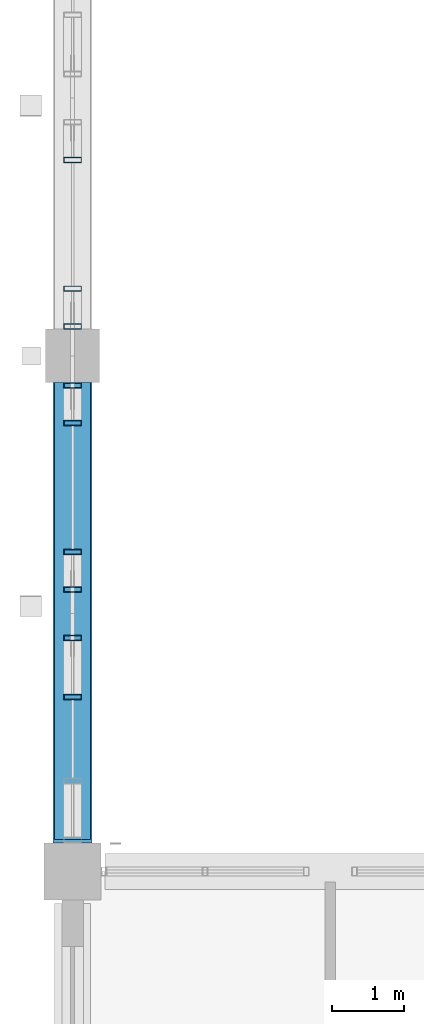
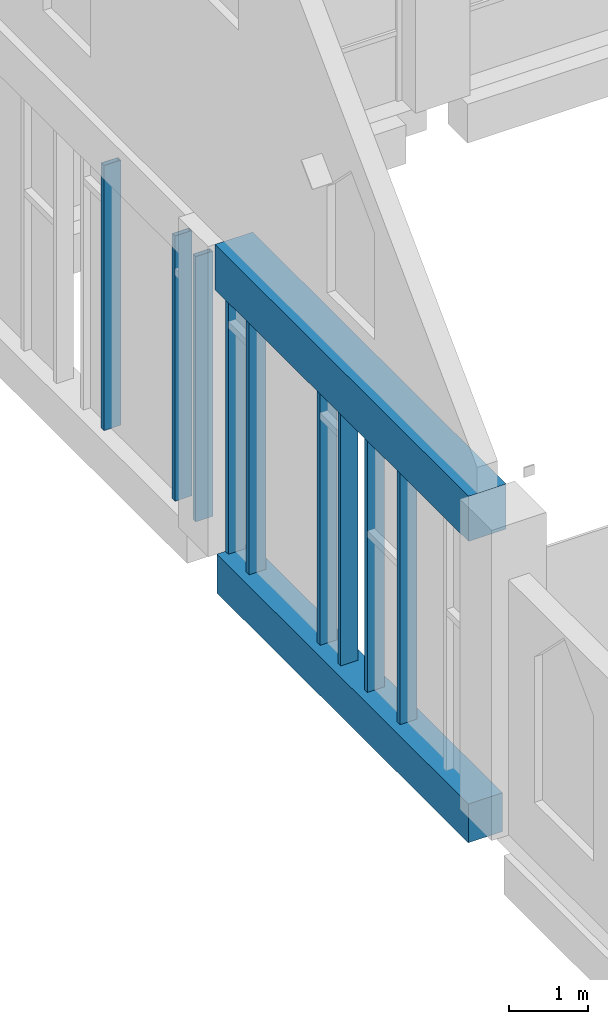
# One storey, part 4 of 31: 9 members, 2 beams, 3 elements without a shape of their own.
"""IFC4 building model written with IfcOpenShell, lengths in metres."""

from ifc_helpers import new_model, si_unit, direction, frame, origin, origin_2d, place, context, subcontext, project, spatial, rectangle, hollow_rectangle, extrude, material, material_profile, profile_set, type_object, element, aggregate, save


model = new_model("IFC4")

# Units and contexts
model_context = context("Model", 3, precision=1e-05, world=origin(), true_north=direction((0.0, 1.0)))
body_context = subcontext(model_context, "Body", "Model", "MODEL_VIEW")
ifc_project = project(units=[si_unit("LENGTHUNIT", "METRE"), si_unit("AREAUNIT", "SQUARE_METRE"), si_unit("VOLUMEUNIT", "CUBIC_METRE"), si_unit("PLANEANGLEUNIT", "RADIAN"), si_unit("MASSUNIT", "GRAM", prefix="KILO")], contexts=[model_context])

# Site, building, storey
site_placement = place(None, origin())
site = spatial("IfcSite", under=ifc_project, at=site_placement, CompositionType="ELEMENT")
building_placement = place(site_placement, origin())
building = spatial("IfcBuilding", under=site, at=building_placement, Name="Silangan Lancet Faculty of Sciences", CompositionType="ELEMENT")
storey_placement = place(building_placement, frame((0.0, 0.0, 36.0)))
storey = spatial("IfcBuildingStorey", under=building, at=storey_placement, Name="L07", CompositionType="ELEMENT", Elevation=36.0)

# Beams
ifc_material_1 = material(Name="Concrete C40/50", Category="concrete")
ifc_material_profile_1 = material_profile(ifc_material_1, rectangle(XDim=0.5, YDim=0.60009765625, at=origin_2d()), Name="RC 500x600")
ifc_profile_set_1 = profile_set([ifc_material_profile_1], Name="Concrete C40/50")
beam_type_1 = type_object("IfcBeamType", Name="BEAM RC 500x600", PredefinedType="BEAM", material=ifc_profile_set_1)
beam_1_placement = place(storey_placement, frame((0.0, 22.050048828125, -0.300048828125), z_axis=(0.0, 1.0, 0.0), x_axis=(-1.0, 0.0, 0.0)))
element("IfcBeam", 1, at=beam_1_placement, inside=storey, type_object=beam_type_1, Name="BM-L07-1D-1E", PredefinedType="BEAM", context=body_context, shape_type="SweptSolid", body=[
    extrude(rectangle(XDim=0.5, YDim=0.60009765625, at=origin_2d()), origin(), (0.0, 0.0, 1.0), 6.375),
])
ifc_material_2 = material(Name="Concrete C40/50", Category="concrete")
ifc_material_profile_2 = material_profile(ifc_material_2, rectangle(XDim=0.550048828125, YDim=0.699951171875, at=origin_2d()), Name="RC 550x700")
ifc_profile_set_2 = profile_set([ifc_material_profile_2], Name="Concrete C40/50")
beam_type_2 = type_object("IfcBeamType", Name="BEAM RC 550x700", PredefinedType="BEAM", material=ifc_profile_set_2)
beam_2_placement = place(storey_placement, frame((0.0, 22.0, 4.449951171875), z_axis=(0.0, 1.0, 0.0), x_axis=(-1.0, 0.0, 0.0)))
element("IfcBeam", 2, at=beam_2_placement, inside=storey, type_object=beam_type_2, Name="RB-L07-1D-1E", PredefinedType="BEAM", context=body_context, shape_type="SweptSolid", body=[
    extrude(rectangle(XDim=0.550048828125, YDim=0.699951171875, at=origin_2d()), origin(), (0.0, 0.0, 1.0), 6.425048828125),
])

# Curtain wall, members
ifc_material_3 = material(Name="Aluminium framed curtain wall with insulated glass", Category="aluminium")
curtain_wall_type_1 = type_object("IfcCurtainWallType", Name="CW3 West stepped lancet window", PredefinedType="NOTDEFINED", material=ifc_material_3)
curtain_wall_1_placement = place(storey_placement, origin())
curtain_wall_1 = element("IfcCurtainWall", 3, at=curtain_wall_1_placement, inside=storey, type_object=curtain_wall_type_1, Name="CW3 West window L07 bay 1", PredefinedType="NOTDEFINED")
ifc_material_4 = material(Name="Aluminium 6063-T6 extrusion", Category="aluminium")
ifc_material_profile_3 = material_profile(ifc_material_4, hollow_rectangle(XDim=0.074951171875, YDim=0.25, WallThickness=0.006103515625, at=origin_2d()), Name="AL BOX 75x250x6")
ifc_profile_set_3 = profile_set([ifc_material_profile_3], Name="Aluminium 6063-T6 extrusion")
member_type = type_object("IfcMemberType", Name="CM3 Mullion 75x250", PredefinedType="MULLION", material=ifc_profile_set_3)
member_1_placement = place(storey_placement, frame((0.0, 24.862548828125, 0.0), z_axis=(0.0, 0.0, 1.0), x_axis=(0.0, 1.0, 0.0)))
member_1 = element("IfcMember", 4, at=member_1_placement, type_object=member_type, Name="CW3 West window L07 bay 1 mullion 2", PredefinedType="MULLION", context=body_context, shape_type="SweptSolid", body=[
    extrude(hollow_rectangle(XDim=0.074951171875, YDim=0.25, WallThickness=0.006103515625, at=origin_2d()), origin(), (0.0, 0.0, 1.0), 4.10009765625),
])
member_2_placement = place(storey_placement, frame((0.0, 24.03759765625, 0.0), z_axis=(0.0, 0.0, 1.0), x_axis=(0.0, 1.0, 0.0)))
member_2 = element("IfcMember", 5, at=member_2_placement, type_object=member_type, Name="CW3 West window L07 bay 1 mullion 4", PredefinedType="MULLION", context=body_context, shape_type="SweptSolid", body=[
    extrude(hollow_rectangle(XDim=0.074951171875, YDim=0.25, WallThickness=0.006103515625, at=origin_2d()), origin(), (0.0, 0.0, 1.0), 4.10009765625),
])
aggregate(curtain_wall_1, [member_1, member_2])

ifc_material_5 = material(Name="Aluminium framed curtain wall with insulated glass", Category="aluminium")
curtain_wall_type_2 = type_object("IfcCurtainWallType", Name="CW6 West window middle bays", PredefinedType="NOTDEFINED", material=ifc_material_5)
curtain_wall_2_placement = place(storey_placement, origin())
curtain_wall_2 = element("IfcCurtainWall", 6, at=curtain_wall_2_placement, inside=storey, type_object=curtain_wall_type_2, Name="CW6 West window L07 bay 2", PredefinedType="NOTDEFINED")
member_3_placement = place(storey_placement, frame((0.0, 25.53759765625, 0.0), z_axis=(0.0, 0.0, 1.0), x_axis=(0.0, 1.0, 0.0)))
member_3 = element("IfcMember", 7, at=member_3_placement, type_object=member_type, Name="CW6 West window L07 bay 2 mullion 1", PredefinedType="MULLION", context=body_context, shape_type="SweptSolid", body=[
    extrude(hollow_rectangle(XDim=0.074951171875, YDim=0.25, WallThickness=0.006103515625, at=origin_2d()), origin(), (0.0, 0.0, 1.0), 4.10009765625),
])
member_4_placement = place(storey_placement, frame((0.0, 28.387451171875, 0.0), z_axis=(0.0, 0.0, 1.0), x_axis=(0.0, 1.0, 0.0)))
member_4 = element("IfcMember", 8, at=member_4_placement, type_object=member_type, Name="CW6 West window L07 bay 2 mullion 2", PredefinedType="MULLION", context=body_context, shape_type="SweptSolid", body=[
    extrude(hollow_rectangle(XDim=0.074951171875, YDim=0.25, WallThickness=0.006103515625, at=origin_2d()), origin(), (0.0, 0.0, 1.0), 4.10009765625),
])
member_5_placement = place(storey_placement, frame((0.0, 26.0625, 0.0), z_axis=(0.0, 0.0, 1.0), x_axis=(0.0, 1.0, 0.0)))
member_5 = element("IfcMember", 9, at=member_5_placement, type_object=member_type, Name="CW6 West window L07 bay 2 mullion 3", PredefinedType="MULLION", context=body_context, shape_type="SweptSolid", body=[
    extrude(hollow_rectangle(XDim=0.074951171875, YDim=0.25, WallThickness=0.006103515625, at=origin_2d()), origin(), (0.0, 0.0, 1.0), 4.10009765625),
])
member_6_placement = place(storey_placement, frame((0.0, 27.862548828125, 0.0), z_axis=(0.0, 0.0, 1.0), x_axis=(0.0, 1.0, 0.0)))
member_6 = element("IfcMember", 10, at=member_6_placement, type_object=member_type, Name="CW6 West window L07 bay 2 mullion 4", PredefinedType="MULLION", context=body_context, shape_type="SweptSolid", body=[
    extrude(hollow_rectangle(XDim=0.074951171875, YDim=0.25, WallThickness=0.006103515625, at=origin_2d()), origin(), (0.0, 0.0, 1.0), 4.10009765625),
])
aggregate(curtain_wall_2, [member_3, member_4, member_5, member_6])

curtain_wall_3_placement = place(storey_placement, origin())
curtain_wall_3 = element("IfcCurtainWall", 11, at=curtain_wall_3_placement, inside=storey, type_object=curtain_wall_type_2, Name="CW6 West window L07 bay 3", PredefinedType="NOTDEFINED")
member_7_placement = place(storey_placement, frame((0.0, 29.21240234375, 0.0), z_axis=(0.0, 0.0, 1.0), x_axis=(0.0, 1.0, 0.0)))
member_7 = element("IfcMember", 12, at=member_7_placement, type_object=member_type, Name="CW6 West window L07 bay 3 mullion 1", PredefinedType="MULLION", context=body_context, shape_type="SweptSolid", body=[
    extrude(hollow_rectangle(XDim=0.074951171875, YDim=0.25, WallThickness=0.006103515625, at=origin_2d()), origin(), (0.0, 0.0, 1.0), 4.10009765625),
])
member_8_placement = place(storey_placement, frame((0.0, 29.737548828125, 0.0), z_axis=(0.0, 0.0, 1.0), x_axis=(0.0, 1.0, 0.0)))
member_8 = element("IfcMember", 13, at=member_8_placement, type_object=member_type, Name="CW6 West window L07 bay 3 mullion 3", PredefinedType="MULLION", context=body_context, shape_type="SweptSolid", body=[
    extrude(hollow_rectangle(XDim=0.074951171875, YDim=0.25, WallThickness=0.006103515625, at=origin_2d()), origin(), (0.0, 0.0, 1.0), 4.10009765625),
])
member_9_placement = place(storey_placement, frame((0.0, 31.537353515625, 0.0), z_axis=(0.0, 0.0, 1.0), x_axis=(0.0, 1.0, 0.0)))
member_9 = element("IfcMember", 14, at=member_9_placement, type_object=member_type, Name="CW6 West window L07 bay 3 mullion 4", PredefinedType="MULLION", context=body_context, shape_type="SweptSolid", body=[
    extrude(hollow_rectangle(XDim=0.074951171875, YDim=0.25, WallThickness=0.006103515625, at=origin_2d()), origin(), (0.0, 0.0, 1.0), 4.10009765625),
])
aggregate(curtain_wall_3, [member_7, member_8, member_9])

save(model, "model.ifc")
